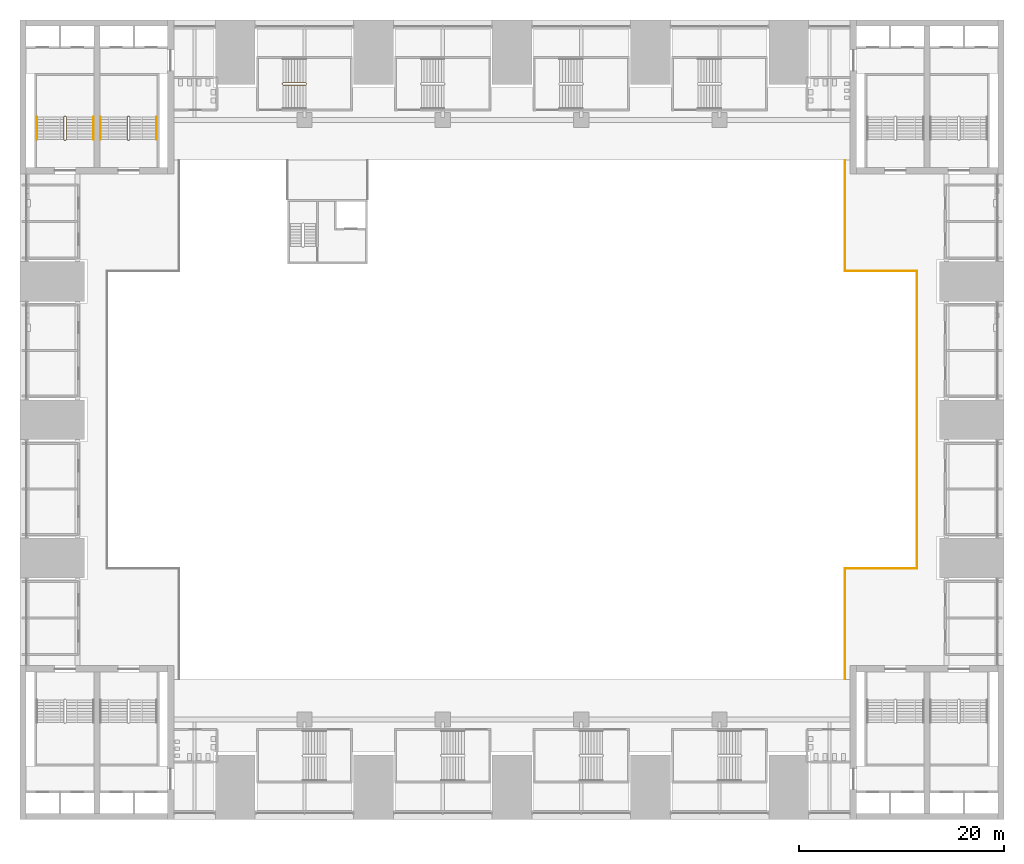
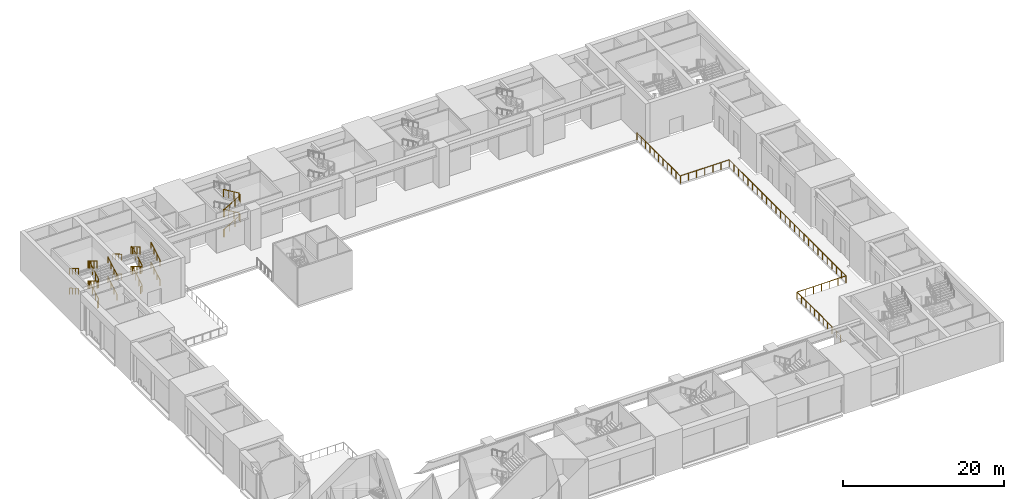
# One storey, part 38 of 41: 6 railings.
"""IFC4 building model written with IfcOpenShell, lengths in metres."""

from ifc_helpers import new_model, si_unit, direction, frame, origin, origin_2d, place, context, subcontext, project, spatial, circle, extrude, material, type_object, element, save


model = new_model("IFC4")

# Units and contexts
model_context = context("Model", 3, precision=1e-05, world=origin(), true_north=direction((0.0, 1.0)))
body_context = subcontext(model_context, "Body", "Model", "MODEL_VIEW")
ifc_project = project(units=[si_unit("LENGTHUNIT", "METRE"), si_unit("AREAUNIT", "SQUARE_METRE"), si_unit("VOLUMEUNIT", "CUBIC_METRE"), si_unit("PLANEANGLEUNIT", "RADIAN"), si_unit("MASSUNIT", "GRAM", prefix="KILO")], contexts=[model_context])

# Site, building, storey
site_placement = place(None, origin())
site = spatial("IfcSite", under=ifc_project, at=site_placement, CompositionType="ELEMENT")
building_placement = place(site_placement, origin())
building = spatial("IfcBuilding", under=site, at=building_placement, Name="Corbelhall Arena Tower", CompositionType="ELEMENT")
storey_placement = place(building_placement, frame((0.0, 0.0, 19.0)))
storey = spatial("IfcBuildingStorey", under=building, at=storey_placement, Name="L02", CompositionType="ELEMENT", Elevation=19.0)

# Railings
ifc_material_1 = material(Name="Stainless steel A4 and laminated glass", Category="steel")
railing_type_1 = type_object("IfcRailingType", Name="AR-GUARD-GLASS", PredefinedType="GUARDRAIL", material=ifc_material_1)
railing_1_placement = place(storey_placement, frame((32.5, 25.300048828125, 0.0)))
element("IfcRailing", 1, at=railing_1_placement, inside=storey, type_object=railing_type_1, Name="Bowl void guard L02 4", PredefinedType="GUARDRAIL", context=body_context, shape_type="SweptSolid", body=[
    extrude(circle(Radius=0.02392578125, at=origin_2d()), frame((0.0, 0.0, 1.076171875), z_axis=(0.0, -1.0, 0.0), x_axis=(1.0, 0.0, 0.0)), (0.0, 0.0, 1.0), 10.800048828125),
    extrude(circle(Radius=0.02392578125, at=origin_2d()), frame((0.0, -10.800048828125, 1.076171875), z_axis=(1.0, 0.0, 0.0), x_axis=(0.0, 1.0, 0.0)), (0.0, 0.0, 1.0), 7.0),
    extrude(circle(Radius=0.02392578125, at=origin_2d()), frame((7.0, -10.800048828125, 1.076171875), z_axis=(0.0, -1.0, 0.0), x_axis=(1.0, 0.0, 0.0)), (0.0, 0.0, 1.0), 29.0),
    extrude(circle(Radius=0.02392578125, at=origin_2d()), frame((7.0, -39.800048828125, 1.076171875), z_axis=(-1.0, 0.0, 0.0), x_axis=(0.0, -1.0, 0.0)), (0.0, 0.0, 1.0), 7.0),
    extrude(circle(Radius=0.02392578125, at=origin_2d()), frame((0.0, -39.800048828125, 1.076171875), z_axis=(0.0, -1.0, 0.0), x_axis=(1.0, 0.0, 0.0)), (0.0, 0.0, 1.0), 10.800048828125),
    extrude(circle(Radius=0.02099609375, at=origin_2d()), origin(), (0.0, 0.0, 1.0), 1.052001953125),
    extrude(circle(Radius=0.02099609375, at=origin_2d()), frame((0.0, -1.080078125, 0.0)), (0.0, 0.0, 1.0), 1.052001953125),
    extrude(circle(Radius=0.02099609375, at=origin_2d()), frame((0.0, -2.159912109375, 0.0)), (0.0, 0.0, 1.0), 1.052001953125),
    extrude(circle(Radius=0.02099609375, at=origin_2d()), frame((0.0, -3.239990234375, 0.0)), (0.0, 0.0, 1.0), 1.052001953125),
    extrude(circle(Radius=0.02099609375, at=origin_2d()), frame((0.0, -4.320068359375, 0.0)), (0.0, 0.0, 1.0), 1.052001953125),
    extrude(circle(Radius=0.02099609375, at=origin_2d()), frame((0.0, -5.39990234375, 0.0)), (0.0, 0.0, 1.0), 1.052001953125),
    extrude(circle(Radius=0.02099609375, at=origin_2d()), frame((0.0, -6.47998046875, 0.0)), (0.0, 0.0, 1.0), 1.052001953125),
    extrude(circle(Radius=0.02099609375, at=origin_2d()), frame((0.0, -7.56005859375, 0.0)), (0.0, 0.0, 1.0), 1.052001953125),
    extrude(circle(Radius=0.02099609375, at=origin_2d()), frame((0.0, -8.64013671875, 0.0)), (0.0, 0.0, 1.0), 1.052001953125),
    extrude(circle(Radius=0.02099609375, at=origin_2d()), frame((0.0, -9.719970703125, 0.0)), (0.0, 0.0, 1.0), 1.052001953125),
    extrude(circle(Radius=0.02099609375, at=origin_2d()), frame((0.0, -10.800048828125, 0.0)), (0.0, 0.0, 1.0), 1.052001953125),
    extrude(circle(Radius=0.02099609375, at=origin_2d()), frame((1.166748046875, -10.800048828125, 0.0)), (0.0, 0.0, 1.0), 1.052001953125),
    extrude(circle(Radius=0.02099609375, at=origin_2d()), frame((2.333251953125, -10.800048828125, 0.0)), (0.0, 0.0, 1.0), 1.052001953125),
    extrude(circle(Radius=0.02099609375, at=origin_2d()), frame((3.5, -10.800048828125, 0.0)), (0.0, 0.0, 1.0), 1.052001953125),
    extrude(circle(Radius=0.02099609375, at=origin_2d()), frame((4.666748046875, -10.800048828125, 0.0)), (0.0, 0.0, 1.0), 1.052001953125),
    extrude(circle(Radius=0.02099609375, at=origin_2d()), frame((5.833251953125, -10.800048828125, 0.0)), (0.0, 0.0, 1.0), 1.052001953125),
    extrude(circle(Radius=0.02099609375, at=origin_2d()), frame((7.0, -10.800048828125, 0.0)), (0.0, 0.0, 1.0), 1.052001953125),
    extrude(circle(Radius=0.02099609375, at=origin_2d()), frame((7.0, -11.9599609375, 0.0)), (0.0, 0.0, 1.0), 1.052001953125),
    extrude(circle(Radius=0.02099609375, at=origin_2d()), frame((7.0, -13.1201171875, 0.0)), (0.0, 0.0, 1.0), 1.052001953125),
    extrude(circle(Radius=0.02099609375, at=origin_2d()), frame((7.0, -14.280029296875, 0.0)), (0.0, 0.0, 1.0), 1.052001953125),
    extrude(circle(Radius=0.02099609375, at=origin_2d()), frame((7.0, -15.43994140625, 0.0)), (0.0, 0.0, 1.0), 1.052001953125),
    extrude(circle(Radius=0.02099609375, at=origin_2d()), frame((7.0, -16.60009765625, 0.0)), (0.0, 0.0, 1.0), 1.052001953125),
    extrude(circle(Radius=0.02099609375, at=origin_2d()), frame((7.0, -17.760009765625, 0.0)), (0.0, 0.0, 1.0), 1.052001953125),
    extrude(circle(Radius=0.02099609375, at=origin_2d()), frame((7.0, -18.920166015625, 0.0)), (0.0, 0.0, 1.0), 1.052001953125),
    extrude(circle(Radius=0.02099609375, at=origin_2d()), frame((7.0, -20.080078125, 0.0)), (0.0, 0.0, 1.0), 1.052001953125),
    extrude(circle(Radius=0.02099609375, at=origin_2d()), frame((7.0, -21.239990234375, 0.0)), (0.0, 0.0, 1.0), 1.052001953125),
    extrude(circle(Radius=0.02099609375, at=origin_2d()), frame((7.0, -22.400146484375, 0.0)), (0.0, 0.0, 1.0), 1.052001953125),
    extrude(circle(Radius=0.02099609375, at=origin_2d()), frame((7.0, -23.56005859375, 0.0)), (0.0, 0.0, 1.0), 1.052001953125),
    extrude(circle(Radius=0.02099609375, at=origin_2d()), frame((7.0, -24.719970703125, 0.0)), (0.0, 0.0, 1.0), 1.052001953125),
    extrude(circle(Radius=0.02099609375, at=origin_2d()), frame((7.0, -25.880126953125, 0.0)), (0.0, 0.0, 1.0), 1.052001953125),
    extrude(circle(Radius=0.02099609375, at=origin_2d()), frame((7.0, -27.0400390625, 0.0)), (0.0, 0.0, 1.0), 1.052001953125),
    extrude(circle(Radius=0.02099609375, at=origin_2d()), frame((7.0, -28.199951171875, 0.0)), (0.0, 0.0, 1.0), 1.052001953125),
    extrude(circle(Radius=0.02099609375, at=origin_2d()), frame((7.0, -29.360107421875, 0.0)), (0.0, 0.0, 1.0), 1.052001953125),
    extrude(circle(Radius=0.02099609375, at=origin_2d()), frame((7.0, -30.52001953125, 0.0)), (0.0, 0.0, 1.0), 1.052001953125),
    extrude(circle(Radius=0.02099609375, at=origin_2d()), frame((7.0, -31.679931640625, 0.0)), (0.0, 0.0, 1.0), 1.052001953125),
    extrude(circle(Radius=0.02099609375, at=origin_2d()), frame((7.0, -32.840087890625, 0.0)), (0.0, 0.0, 1.0), 1.052001953125),
    extrude(circle(Radius=0.02099609375, at=origin_2d()), frame((7.0, -34.0, 0.0)), (0.0, 0.0, 1.0), 1.052001953125),
    extrude(circle(Radius=0.02099609375, at=origin_2d()), frame((7.0, -35.16015625, 0.0)), (0.0, 0.0, 1.0), 1.052001953125),
    extrude(circle(Radius=0.02099609375, at=origin_2d()), frame((7.0, -36.320068359375, 0.0)), (0.0, 0.0, 1.0), 1.052001953125),
    extrude(circle(Radius=0.02099609375, at=origin_2d()), frame((7.0, -37.47998046875, 0.0)), (0.0, 0.0, 1.0), 1.052001953125),
    extrude(circle(Radius=0.02099609375, at=origin_2d()), frame((7.0, -38.64013671875, 0.0)), (0.0, 0.0, 1.0), 1.052001953125),
    extrude(circle(Radius=0.02099609375, at=origin_2d()), frame((7.0, -39.800048828125, 0.0)), (0.0, 0.0, 1.0), 1.052001953125),
    extrude(circle(Radius=0.02099609375, at=origin_2d()), frame((5.833251953125, -39.800048828125, 0.0)), (0.0, 0.0, 1.0), 1.052001953125),
    extrude(circle(Radius=0.02099609375, at=origin_2d()), frame((4.666748046875, -39.800048828125, 0.0)), (0.0, 0.0, 1.0), 1.052001953125),
    extrude(circle(Radius=0.02099609375, at=origin_2d()), frame((3.5, -39.800048828125, 0.0)), (0.0, 0.0, 1.0), 1.052001953125),
    extrude(circle(Radius=0.02099609375, at=origin_2d()), frame((2.333251953125, -39.800048828125, 0.0)), (0.0, 0.0, 1.0), 1.052001953125),
    extrude(circle(Radius=0.02099609375, at=origin_2d()), frame((1.166748046875, -39.800048828125, 0.0)), (0.0, 0.0, 1.0), 1.052001953125),
    extrude(circle(Radius=0.02099609375, at=origin_2d()), frame((0.0, -39.800048828125, 0.0)), (0.0, 0.0, 1.0), 1.052001953125),
    extrude(circle(Radius=0.02099609375, at=origin_2d()), frame((0.0, -40.880126953125, 0.0)), (0.0, 0.0, 1.0), 1.052001953125),
    extrude(circle(Radius=0.02099609375, at=origin_2d()), frame((0.0, -41.9599609375, 0.0)), (0.0, 0.0, 1.0), 1.052001953125),
    extrude(circle(Radius=0.02099609375, at=origin_2d()), frame((0.0, -43.0400390625, 0.0)), (0.0, 0.0, 1.0), 1.052001953125),
    extrude(circle(Radius=0.02099609375, at=origin_2d()), frame((0.0, -44.1201171875, 0.0)), (0.0, 0.0, 1.0), 1.052001953125),
    extrude(circle(Radius=0.02099609375, at=origin_2d()), frame((0.0, -45.2001953125, 0.0)), (0.0, 0.0, 1.0), 1.052001953125),
    extrude(circle(Radius=0.02099609375, at=origin_2d()), frame((0.0, -46.280029296875, 0.0)), (0.0, 0.0, 1.0), 1.052001953125),
    extrude(circle(Radius=0.02099609375, at=origin_2d()), frame((0.0, -47.360107421875, 0.0)), (0.0, 0.0, 1.0), 1.052001953125),
    extrude(circle(Radius=0.02099609375, at=origin_2d()), frame((0.0, -48.440185546875, 0.0)), (0.0, 0.0, 1.0), 1.052001953125),
    extrude(circle(Radius=0.02099609375, at=origin_2d()), frame((0.0, -49.52001953125, 0.0)), (0.0, 0.0, 1.0), 1.052001953125),
    extrude(circle(Radius=0.02099609375, at=origin_2d()), frame((0.0, -50.60009765625, 0.0)), (0.0, 0.0, 1.0), 1.052001953125),
])
ifc_material_2 = material(Name="Stainless steel A4", Category="steel")
railing_type_2 = type_object("IfcRailingType", Name="AR-STAIR-GUARD", PredefinedType="GUARDRAIL", material=ifc_material_2)
railing_2_placement = place(storey_placement, frame((-22.35009765625, 32.64990234375, 0.166748046875)))
element("IfcRailing", 2, at=railing_2_placement, inside=storey, type_object=railing_type_2, Name="L02 AS9 stair guards", PredefinedType="GUARDRAIL", context=body_context, shape_type="SweptSolid", body=[
    extrude(circle(Radius=0.02392578125, at=origin_2d()), frame((0.0, 0.0, 1.076171875), z_axis=(0.859305625298, 0.0, 0.511462454469), x_axis=(0.0, 1.0, 0.0)), (0.0, 0.0, 1.0), 2.606689453125),
    extrude(circle(Radius=0.02392578125, at=origin_2d()), frame((2.2900390625, 0.050048828125, 2.4091796875), z_axis=(0.0, 1.0, 0.0), x_axis=(-1.0, 0.0, 0.0)), (0.0, 0.0, 1.0), 0.150146484375),
    extrude(circle(Radius=0.02392578125, at=origin_2d()), frame((2.239990234375, 0.25, 2.576171875), z_axis=(-0.859305625298, 0.0, 0.511462454469), x_axis=(0.0, -1.0, 0.0)), (0.0, 0.0, 1.0), 2.606689453125),
    extrude(circle(Radius=0.02392578125, at=origin_2d()), frame((-0.0498046875, 0.050048828125, 3.9091796875), z_axis=(0.0, 1.0, 0.0), x_axis=(-1.0, 0.0, 0.0)), (0.0, 0.0, 1.0), 0.150146484375),
    extrude(circle(Radius=0.02392578125, at=origin_2d()), frame((0.0, 0.0, 4.076171875), z_axis=(0.859305625298, 0.0, 0.511462454469), x_axis=(0.0, 1.0, 0.0)), (0.0, 0.0, 1.0), 2.606689453125),
    extrude(circle(Radius=0.02392578125, at=origin_2d()), frame((2.2900390625, 0.050048828125, 5.4091796875), z_axis=(0.0, 1.0, 0.0), x_axis=(-1.0, 0.0, 0.0)), (0.0, 0.0, 1.0), 0.150146484375),
    extrude(circle(Radius=0.02392578125, at=origin_2d()), frame((2.239990234375, 0.25, 5.576171875), z_axis=(-0.859305625298, 0.0, 0.511462454469), x_axis=(0.0, -1.0, 0.0)), (0.0, 0.0, 1.0), 2.606689453125),
    extrude(circle(Radius=0.02392578125, at=origin_2d()), frame((-0.0498046875, 0.050048828125, 0.9091796875), z_axis=(0.0, 1.0, 0.0), x_axis=(-1.0, 0.0, 0.0)), (0.0, 0.0, 1.0), 0.150146484375),
    extrude(circle(Radius=0.02099609375, at=origin_2d()), origin(), (0.0, 0.0, 1.0), 1.052001953125),
    extrude(circle(Radius=0.02099609375, at=origin_2d()), frame((0.74658203125, 0.0, 0.4443359375)), (0.0, 0.0, 1.0), 1.052001953125),
    extrude(circle(Radius=0.02099609375, at=origin_2d()), frame((1.493408203125, 0.0, 0.888916015625)), (0.0, 0.0, 1.0), 1.052001953125),
    extrude(circle(Radius=0.02099609375, at=origin_2d()), frame((2.239990234375, 0.0, 1.333251953125)), (0.0, 0.0, 1.0), 1.052001953125),
    extrude(circle(Radius=0.02099609375, at=origin_2d()), frame((2.2900390625, 0.050048828125, 1.333251953125)), (0.0, 0.0, 1.0), 1.052001953125),
    extrude(circle(Radius=0.02099609375, at=origin_2d()), frame((2.2900390625, 0.2001953125, 1.333251953125)), (0.0, 0.0, 1.0), 1.052001953125),
    extrude(circle(Radius=0.02099609375, at=origin_2d()), frame((2.239990234375, 0.25, 1.5)), (0.0, 0.0, 1.0), 1.052001953125),
    extrude(circle(Radius=0.02099609375, at=origin_2d()), frame((1.493408203125, 0.25, 1.9443359375)), (0.0, 0.0, 1.0), 1.052001953125),
    extrude(circle(Radius=0.02099609375, at=origin_2d()), frame((0.74658203125, 0.25, 2.388916015625)), (0.0, 0.0, 1.0), 1.052001953125),
    extrude(circle(Radius=0.02099609375, at=origin_2d()), frame((0.0, 0.25, 2.833251953125)), (0.0, 0.0, 1.0), 1.052001953125),
    extrude(circle(Radius=0.02099609375, at=origin_2d()), frame((-0.0498046875, 0.050048828125, 2.833251953125)), (0.0, 0.0, 1.0), 1.052001953125),
    extrude(circle(Radius=0.02099609375, at=origin_2d()), frame((-0.0498046875, 0.2001953125, 2.833251953125)), (0.0, 0.0, 1.0), 1.052001953125),
    extrude(circle(Radius=0.02099609375, at=origin_2d()), frame((0.0, 0.0, 3.0)), (0.0, 0.0, 1.0), 1.052001953125),
    extrude(circle(Radius=0.02099609375, at=origin_2d()), frame((0.74658203125, 0.0, 3.4443359375)), (0.0, 0.0, 1.0), 1.052001953125),
    extrude(circle(Radius=0.02099609375, at=origin_2d()), frame((1.493408203125, 0.0, 3.888916015625)), (0.0, 0.0, 1.0), 1.052001953125),
    extrude(circle(Radius=0.02099609375, at=origin_2d()), frame((2.239990234375, 0.0, 4.333251953125)), (0.0, 0.0, 1.0), 1.052001953125),
    extrude(circle(Radius=0.02099609375, at=origin_2d()), frame((2.2900390625, 0.050048828125, 4.333251953125)), (0.0, 0.0, 1.0), 1.052001953125),
    extrude(circle(Radius=0.02099609375, at=origin_2d()), frame((2.2900390625, 0.2001953125, 4.333251953125)), (0.0, 0.0, 1.0), 1.052001953125),
    extrude(circle(Radius=0.02099609375, at=origin_2d()), frame((2.239990234375, 0.25, 4.5)), (0.0, 0.0, 1.0), 1.052001953125),
    extrude(circle(Radius=0.02099609375, at=origin_2d()), frame((1.493408203125, 0.25, 4.9443359375)), (0.0, 0.0, 1.0), 1.052001953125),
    extrude(circle(Radius=0.02099609375, at=origin_2d()), frame((0.74658203125, 0.25, 5.388916015625)), (0.0, 0.0, 1.0), 1.052001953125),
    extrude(circle(Radius=0.02099609375, at=origin_2d()), frame((0.0, 0.25, 5.833251953125)), (0.0, 0.0, 1.0), 1.052001953125),
    extrude(circle(Radius=0.02099609375, at=origin_2d()), frame((-0.0498046875, 0.050048828125, -0.166748046875)), (0.0, 0.0, 1.0), 1.052001953125),
    extrude(circle(Radius=0.02099609375, at=origin_2d()), frame((-0.0498046875, 0.2001953125, -0.166748046875)), (0.0, 0.0, 1.0), 1.052001953125),
])
railing_3_placement = place(storey_placement, frame((-37.280029296875, 27.320068359375, 0.166748046875)))
element("IfcRailing", 3, at=railing_3_placement, inside=storey, type_object=railing_type_2, Name="L02 AS3 stair guards", PredefinedType="GUARDRAIL", context=body_context, shape_type="SweptSolid", body=[
    extrude(circle(Radius=0.02392578125, at=origin_2d()), frame((0.0, 0.0, 1.076171875), z_axis=(0.0, 0.859305625298, 0.511462454469), x_axis=(-1.0, 0.0, 0.0)), (0.0, 0.0, 1.0), 2.606689453125),
    extrude(circle(Radius=0.02392578125, at=origin_2d()), frame((-0.050048828125, 2.2900390625, 2.4091796875), z_axis=(-1.0, 0.0, 0.0), x_axis=(0.0, -1.0, 0.0)), (0.0, 0.0, 1.0), 0.14990234375),
    extrude(circle(Radius=0.02392578125, at=origin_2d()), frame((-0.25, 2.239990234375, 2.576171875), z_axis=(0.0, -0.859305625298, 0.511462454469), x_axis=(1.0, 0.0, 0.0)), (0.0, 0.0, 1.0), 2.606689453125),
    extrude(circle(Radius=0.02392578125, at=origin_2d()), frame((-0.050048828125, -0.050048828125, 3.9091796875), z_axis=(-1.0, 0.0, 0.0), x_axis=(0.0, -1.0, 0.0)), (0.0, 0.0, 1.0), 0.14990234375),
    extrude(circle(Radius=0.02392578125, at=origin_2d()), frame((0.0, 0.0, 4.076171875), z_axis=(0.0, 0.859305625298, 0.511462454469), x_axis=(-1.0, 0.0, 0.0)), (0.0, 0.0, 1.0), 2.606689453125),
    extrude(circle(Radius=0.02392578125, at=origin_2d()), frame((-0.050048828125, 2.2900390625, 5.4091796875), z_axis=(-1.0, 0.0, 0.0), x_axis=(0.0, -1.0, 0.0)), (0.0, 0.0, 1.0), 0.14990234375),
    extrude(circle(Radius=0.02392578125, at=origin_2d()), frame((-0.25, 2.239990234375, 5.576171875), z_axis=(0.0, -0.859305625298, 0.511462454469), x_axis=(1.0, 0.0, 0.0)), (0.0, 0.0, 1.0), 2.606689453125),
    extrude(circle(Radius=0.02392578125, at=origin_2d()), frame((-0.050048828125, -0.050048828125, 0.9091796875), z_axis=(-1.0, 0.0, 0.0), x_axis=(0.0, -1.0, 0.0)), (0.0, 0.0, 1.0), 0.14990234375),
    extrude(circle(Radius=0.02099609375, at=origin_2d()), origin(), (0.0, 0.0, 1.0), 1.052001953125),
    extrude(circle(Radius=0.02099609375, at=origin_2d()), frame((0.0, 0.74658203125, 0.4443359375)), (0.0, 0.0, 1.0), 1.052001953125),
    extrude(circle(Radius=0.02099609375, at=origin_2d()), frame((0.0, 1.493408203125, 0.888916015625)), (0.0, 0.0, 1.0), 1.052001953125),
    extrude(circle(Radius=0.02099609375, at=origin_2d()), frame((0.0, 2.239990234375, 1.333251953125)), (0.0, 0.0, 1.0), 1.052001953125),
    extrude(circle(Radius=0.02099609375, at=origin_2d()), frame((-0.050048828125, 2.2900390625, 1.333251953125)), (0.0, 0.0, 1.0), 1.052001953125),
    extrude(circle(Radius=0.02099609375, at=origin_2d()), frame((-0.199951171875, 2.2900390625, 1.333251953125)), (0.0, 0.0, 1.0), 1.052001953125),
    extrude(circle(Radius=0.02099609375, at=origin_2d()), frame((-0.25, 2.239990234375, 1.5)), (0.0, 0.0, 1.0), 1.052001953125),
    extrude(circle(Radius=0.02099609375, at=origin_2d()), frame((-0.25, 1.493408203125, 1.9443359375)), (0.0, 0.0, 1.0), 1.052001953125),
    extrude(circle(Radius=0.02099609375, at=origin_2d()), frame((-0.25, 0.74658203125, 2.388916015625)), (0.0, 0.0, 1.0), 1.052001953125),
    extrude(circle(Radius=0.02099609375, at=origin_2d()), frame((-0.25, 0.0, 2.833251953125)), (0.0, 0.0, 1.0), 1.052001953125),
    extrude(circle(Radius=0.02099609375, at=origin_2d()), frame((-0.050048828125, -0.050048828125, 2.833251953125)), (0.0, 0.0, 1.0), 1.052001953125),
    extrude(circle(Radius=0.02099609375, at=origin_2d()), frame((-0.199951171875, -0.050048828125, 2.833251953125)), (0.0, 0.0, 1.0), 1.052001953125),
    extrude(circle(Radius=0.02099609375, at=origin_2d()), frame((0.0, 0.0, 3.0)), (0.0, 0.0, 1.0), 1.052001953125),
    extrude(circle(Radius=0.02099609375, at=origin_2d()), frame((0.0, 0.74658203125, 3.4443359375)), (0.0, 0.0, 1.0), 1.052001953125),
    extrude(circle(Radius=0.02099609375, at=origin_2d()), frame((0.0, 1.493408203125, 3.888916015625)), (0.0, 0.0, 1.0), 1.052001953125),
    extrude(circle(Radius=0.02099609375, at=origin_2d()), frame((0.0, 2.239990234375, 4.333251953125)), (0.0, 0.0, 1.0), 1.052001953125),
    extrude(circle(Radius=0.02099609375, at=origin_2d()), frame((-0.050048828125, 2.2900390625, 4.333251953125)), (0.0, 0.0, 1.0), 1.052001953125),
    extrude(circle(Radius=0.02099609375, at=origin_2d()), frame((-0.199951171875, 2.2900390625, 4.333251953125)), (0.0, 0.0, 1.0), 1.052001953125),
    extrude(circle(Radius=0.02099609375, at=origin_2d()), frame((-0.25, 2.239990234375, 4.5)), (0.0, 0.0, 1.0), 1.052001953125),
    extrude(circle(Radius=0.02099609375, at=origin_2d()), frame((-0.25, 1.493408203125, 4.9443359375)), (0.0, 0.0, 1.0), 1.052001953125),
    extrude(circle(Radius=0.02099609375, at=origin_2d()), frame((-0.25, 0.74658203125, 5.388916015625)), (0.0, 0.0, 1.0), 1.052001953125),
    extrude(circle(Radius=0.02099609375, at=origin_2d()), frame((-0.25, 0.0, 5.833251953125)), (0.0, 0.0, 1.0), 1.052001953125),
    extrude(circle(Radius=0.02099609375, at=origin_2d()), frame((-0.050048828125, -0.050048828125, -0.166748046875)), (0.0, 0.0, 1.0), 1.052001953125),
    extrude(circle(Radius=0.02099609375, at=origin_2d()), frame((-0.199951171875, -0.050048828125, -0.166748046875)), (0.0, 0.0, 1.0), 1.052001953125),
])
railing_4_placement = place(storey_placement, frame((-43.469970703125, 27.320068359375, 0.166748046875)))
element("IfcRailing", 4, at=railing_4_placement, inside=storey, type_object=railing_type_2, Name="L02 AS4 stair guards", PredefinedType="GUARDRAIL", context=body_context, shape_type="SweptSolid", body=[
    extrude(circle(Radius=0.02392578125, at=origin_2d()), frame((0.0, 0.0, 1.076171875), z_axis=(0.0, 0.859305625298, 0.511462454469), x_axis=(-1.0, 0.0, 0.0)), (0.0, 0.0, 1.0), 2.606689453125),
    extrude(circle(Radius=0.02392578125, at=origin_2d()), frame((-0.050048828125, 2.2900390625, 2.4091796875), z_axis=(-1.0, 0.0, 0.0), x_axis=(0.0, -1.0, 0.0)), (0.0, 0.0, 1.0), 0.14990234375),
    extrude(circle(Radius=0.02392578125, at=origin_2d()), frame((-0.25, 2.239990234375, 2.576171875), z_axis=(0.0, -0.859305625298, 0.511462454469), x_axis=(1.0, 0.0, 0.0)), (0.0, 0.0, 1.0), 2.606689453125),
    extrude(circle(Radius=0.02392578125, at=origin_2d()), frame((-0.050048828125, -0.050048828125, 3.9091796875), z_axis=(-1.0, 0.0, 0.0), x_axis=(0.0, -1.0, 0.0)), (0.0, 0.0, 1.0), 0.14990234375),
    extrude(circle(Radius=0.02392578125, at=origin_2d()), frame((0.0, 0.0, 4.076171875), z_axis=(0.0, 0.859305625298, 0.511462454469), x_axis=(-1.0, 0.0, 0.0)), (0.0, 0.0, 1.0), 2.606689453125),
    extrude(circle(Radius=0.02392578125, at=origin_2d()), frame((-0.050048828125, 2.2900390625, 5.4091796875), z_axis=(-1.0, 0.0, 0.0), x_axis=(0.0, -1.0, 0.0)), (0.0, 0.0, 1.0), 0.14990234375),
    extrude(circle(Radius=0.02392578125, at=origin_2d()), frame((-0.25, 2.239990234375, 5.576171875), z_axis=(0.0, -0.859305625298, 0.511462454469), x_axis=(1.0, 0.0, 0.0)), (0.0, 0.0, 1.0), 2.606689453125),
    extrude(circle(Radius=0.02392578125, at=origin_2d()), frame((-0.050048828125, -0.050048828125, 0.9091796875), z_axis=(-1.0, 0.0, 0.0), x_axis=(0.0, -1.0, 0.0)), (0.0, 0.0, 1.0), 0.14990234375),
    extrude(circle(Radius=0.02099609375, at=origin_2d()), origin(), (0.0, 0.0, 1.0), 1.052001953125),
    extrude(circle(Radius=0.02099609375, at=origin_2d()), frame((0.0, 0.74658203125, 0.4443359375)), (0.0, 0.0, 1.0), 1.052001953125),
    extrude(circle(Radius=0.02099609375, at=origin_2d()), frame((0.0, 1.493408203125, 0.888916015625)), (0.0, 0.0, 1.0), 1.052001953125),
    extrude(circle(Radius=0.02099609375, at=origin_2d()), frame((0.0, 2.239990234375, 1.333251953125)), (0.0, 0.0, 1.0), 1.052001953125),
    extrude(circle(Radius=0.02099609375, at=origin_2d()), frame((-0.050048828125, 2.2900390625, 1.333251953125)), (0.0, 0.0, 1.0), 1.052001953125),
    extrude(circle(Radius=0.02099609375, at=origin_2d()), frame((-0.199951171875, 2.2900390625, 1.333251953125)), (0.0, 0.0, 1.0), 1.052001953125),
    extrude(circle(Radius=0.02099609375, at=origin_2d()), frame((-0.25, 2.239990234375, 1.5)), (0.0, 0.0, 1.0), 1.052001953125),
    extrude(circle(Radius=0.02099609375, at=origin_2d()), frame((-0.25, 1.493408203125, 1.9443359375)), (0.0, 0.0, 1.0), 1.052001953125),
    extrude(circle(Radius=0.02099609375, at=origin_2d()), frame((-0.25, 0.74658203125, 2.388916015625)), (0.0, 0.0, 1.0), 1.052001953125),
    extrude(circle(Radius=0.02099609375, at=origin_2d()), frame((-0.25, 0.0, 2.833251953125)), (0.0, 0.0, 1.0), 1.052001953125),
    extrude(circle(Radius=0.02099609375, at=origin_2d()), frame((-0.050048828125, -0.050048828125, 2.833251953125)), (0.0, 0.0, 1.0), 1.052001953125),
    extrude(circle(Radius=0.02099609375, at=origin_2d()), frame((-0.199951171875, -0.050048828125, 2.833251953125)), (0.0, 0.0, 1.0), 1.052001953125),
    extrude(circle(Radius=0.02099609375, at=origin_2d()), frame((0.0, 0.0, 3.0)), (0.0, 0.0, 1.0), 1.052001953125),
    extrude(circle(Radius=0.02099609375, at=origin_2d()), frame((0.0, 0.74658203125, 3.4443359375)), (0.0, 0.0, 1.0), 1.052001953125),
    extrude(circle(Radius=0.02099609375, at=origin_2d()), frame((0.0, 1.493408203125, 3.888916015625)), (0.0, 0.0, 1.0), 1.052001953125),
    extrude(circle(Radius=0.02099609375, at=origin_2d()), frame((0.0, 2.239990234375, 4.333251953125)), (0.0, 0.0, 1.0), 1.052001953125),
    extrude(circle(Radius=0.02099609375, at=origin_2d()), frame((-0.050048828125, 2.2900390625, 4.333251953125)), (0.0, 0.0, 1.0), 1.052001953125),
    extrude(circle(Radius=0.02099609375, at=origin_2d()), frame((-0.199951171875, 2.2900390625, 4.333251953125)), (0.0, 0.0, 1.0), 1.052001953125),
    extrude(circle(Radius=0.02099609375, at=origin_2d()), frame((-0.25, 2.239990234375, 4.5)), (0.0, 0.0, 1.0), 1.052001953125),
    extrude(circle(Radius=0.02099609375, at=origin_2d()), frame((-0.25, 1.493408203125, 4.9443359375)), (0.0, 0.0, 1.0), 1.052001953125),
    extrude(circle(Radius=0.02099609375, at=origin_2d()), frame((-0.25, 0.74658203125, 5.388916015625)), (0.0, 0.0, 1.0), 1.052001953125),
    extrude(circle(Radius=0.02099609375, at=origin_2d()), frame((-0.25, 0.0, 5.833251953125)), (0.0, 0.0, 1.0), 1.052001953125),
    extrude(circle(Radius=0.02099609375, at=origin_2d()), frame((-0.050048828125, -0.050048828125, -0.166748046875)), (0.0, 0.0, 1.0), 1.052001953125),
    extrude(circle(Radius=0.02099609375, at=origin_2d()), frame((-0.199951171875, -0.050048828125, -0.166748046875)), (0.0, 0.0, 1.0), 1.052001953125),
])
railing_type_3 = type_object("IfcRailingType", Name="AR-STAIR-HANDRAIL", PredefinedType="HANDRAIL", material=ifc_material_2)
railing_5_placement = place(storey_placement, frame((-34.659912109375, 27.320068359375, 0.166748046875)))
element("IfcRailing", 5, at=railing_5_placement, inside=storey, type_object=railing_type_3, Name="L02 AS3 stair handrails", PredefinedType="HANDRAIL", context=body_context, shape_type="SweptSolid", body=[
    extrude(circle(Radius=0.02392578125, at=origin_2d()), frame((0.0, 0.0, 0.8759765625), z_axis=(0.0, 0.859305625298, 0.511462454469), x_axis=(-1.0, 0.0, 0.0)), (0.0, 0.0, 1.0), 2.606689453125),
    extrude(circle(Radius=0.02392578125, at=origin_2d()), frame((-5.489990234375, 2.239990234375, 2.3759765625), z_axis=(0.0, -0.859305625298, 0.511462454469), x_axis=(1.0, 0.0, 0.0)), (0.0, 0.0, 1.0), 2.606689453125),
    extrude(circle(Radius=0.02392578125, at=origin_2d()), frame((0.0, 0.0, 3.8759765625), z_axis=(0.0, 0.859305625298, 0.511462454469), x_axis=(-1.0, 0.0, 0.0)), (0.0, 0.0, 1.0), 2.606689453125),
    extrude(circle(Radius=0.02392578125, at=origin_2d()), frame((-5.489990234375, 2.239990234375, 5.3759765625), z_axis=(0.0, -0.859305625298, 0.511462454469), x_axis=(1.0, 0.0, 0.0)), (0.0, 0.0, 1.0), 2.606689453125),
    extrude(circle(Radius=0.02099609375, at=origin_2d()), origin(), (0.0, 0.0, 1.0), 0.851806640625),
    extrude(circle(Radius=0.02099609375, at=origin_2d()), frame((0.0, 0.74658203125, 0.4443359375)), (0.0, 0.0, 1.0), 0.851806640625),
    extrude(circle(Radius=0.02099609375, at=origin_2d()), frame((0.0, 1.493408203125, 0.888916015625)), (0.0, 0.0, 1.0), 0.851806640625),
    extrude(circle(Radius=0.02099609375, at=origin_2d()), frame((0.0, 2.239990234375, 1.333251953125)), (0.0, 0.0, 1.0), 0.851806640625),
    extrude(circle(Radius=0.02099609375, at=origin_2d()), frame((-5.489990234375, 2.239990234375, 1.5)), (0.0, 0.0, 1.0), 0.851806640625),
    extrude(circle(Radius=0.02099609375, at=origin_2d()), frame((-5.489990234375, 1.493408203125, 1.9443359375)), (0.0, 0.0, 1.0), 0.851806640625),
    extrude(circle(Radius=0.02099609375, at=origin_2d()), frame((-5.489990234375, 0.74658203125, 2.388916015625)), (0.0, 0.0, 1.0), 0.851806640625),
    extrude(circle(Radius=0.02099609375, at=origin_2d()), frame((-5.489990234375, 0.0, 2.833251953125)), (0.0, 0.0, 1.0), 0.851806640625),
    extrude(circle(Radius=0.02099609375, at=origin_2d()), frame((0.0, 0.0, 3.0)), (0.0, 0.0, 1.0), 0.851806640625),
    extrude(circle(Radius=0.02099609375, at=origin_2d()), frame((0.0, 0.74658203125, 3.4443359375)), (0.0, 0.0, 1.0), 0.851806640625),
    extrude(circle(Radius=0.02099609375, at=origin_2d()), frame((0.0, 1.493408203125, 3.888916015625)), (0.0, 0.0, 1.0), 0.851806640625),
    extrude(circle(Radius=0.02099609375, at=origin_2d()), frame((0.0, 2.239990234375, 4.333251953125)), (0.0, 0.0, 1.0), 0.851806640625),
    extrude(circle(Radius=0.02099609375, at=origin_2d()), frame((-5.489990234375, 2.239990234375, 4.5)), (0.0, 0.0, 1.0), 0.851806640625),
    extrude(circle(Radius=0.02099609375, at=origin_2d()), frame((-5.489990234375, 1.493408203125, 4.9443359375)), (0.0, 0.0, 1.0), 0.851806640625),
    extrude(circle(Radius=0.02099609375, at=origin_2d()), frame((-5.489990234375, 0.74658203125, 5.388916015625)), (0.0, 0.0, 1.0), 0.851806640625),
    extrude(circle(Radius=0.02099609375, at=origin_2d()), frame((-5.489990234375, 0.0, 5.833251953125)), (0.0, 0.0, 1.0), 0.851806640625),
])
railing_6_placement = place(storey_placement, frame((-40.85009765625, 27.320068359375, 0.166748046875)))
element("IfcRailing", 6, at=railing_6_placement, inside=storey, type_object=railing_type_3, Name="L02 AS4 stair handrails", PredefinedType="HANDRAIL", context=body_context, shape_type="SweptSolid", body=[
    extrude(circle(Radius=0.02392578125, at=origin_2d()), frame((0.0, 0.0, 0.8759765625), z_axis=(0.0, 0.859305625298, 0.511462454469), x_axis=(-1.0, 0.0, 0.0)), (0.0, 0.0, 1.0), 2.606689453125),
    extrude(circle(Radius=0.02392578125, at=origin_2d()), frame((-5.489990234375, 2.239990234375, 2.3759765625), z_axis=(0.0, -0.859305625298, 0.511462454469), x_axis=(1.0, 0.0, 0.0)), (0.0, 0.0, 1.0), 2.606689453125),
    extrude(circle(Radius=0.02392578125, at=origin_2d()), frame((0.0, 0.0, 3.8759765625), z_axis=(0.0, 0.859305625298, 0.511462454469), x_axis=(-1.0, 0.0, 0.0)), (0.0, 0.0, 1.0), 2.606689453125),
    extrude(circle(Radius=0.02392578125, at=origin_2d()), frame((-5.489990234375, 2.239990234375, 5.3759765625), z_axis=(0.0, -0.859305625298, 0.511462454469), x_axis=(1.0, 0.0, 0.0)), (0.0, 0.0, 1.0), 2.606689453125),
    extrude(circle(Radius=0.02099609375, at=origin_2d()), origin(), (0.0, 0.0, 1.0), 0.851806640625),
    extrude(circle(Radius=0.02099609375, at=origin_2d()), frame((0.0, 0.74658203125, 0.4443359375)), (0.0, 0.0, 1.0), 0.851806640625),
    extrude(circle(Radius=0.02099609375, at=origin_2d()), frame((0.0, 1.493408203125, 0.888916015625)), (0.0, 0.0, 1.0), 0.851806640625),
    extrude(circle(Radius=0.02099609375, at=origin_2d()), frame((0.0, 2.239990234375, 1.333251953125)), (0.0, 0.0, 1.0), 0.851806640625),
    extrude(circle(Radius=0.02099609375, at=origin_2d()), frame((-5.489990234375, 2.239990234375, 1.5)), (0.0, 0.0, 1.0), 0.851806640625),
    extrude(circle(Radius=0.02099609375, at=origin_2d()), frame((-5.489990234375, 1.493408203125, 1.9443359375)), (0.0, 0.0, 1.0), 0.851806640625),
    extrude(circle(Radius=0.02099609375, at=origin_2d()), frame((-5.489990234375, 0.74658203125, 2.388916015625)), (0.0, 0.0, 1.0), 0.851806640625),
    extrude(circle(Radius=0.02099609375, at=origin_2d()), frame((-5.489990234375, 0.0, 2.833251953125)), (0.0, 0.0, 1.0), 0.851806640625),
    extrude(circle(Radius=0.02099609375, at=origin_2d()), frame((0.0, 0.0, 3.0)), (0.0, 0.0, 1.0), 0.851806640625),
    extrude(circle(Radius=0.02099609375, at=origin_2d()), frame((0.0, 0.74658203125, 3.4443359375)), (0.0, 0.0, 1.0), 0.851806640625),
    extrude(circle(Radius=0.02099609375, at=origin_2d()), frame((0.0, 1.493408203125, 3.888916015625)), (0.0, 0.0, 1.0), 0.851806640625),
    extrude(circle(Radius=0.02099609375, at=origin_2d()), frame((0.0, 2.239990234375, 4.333251953125)), (0.0, 0.0, 1.0), 0.851806640625),
    extrude(circle(Radius=0.02099609375, at=origin_2d()), frame((-5.489990234375, 2.239990234375, 4.5)), (0.0, 0.0, 1.0), 0.851806640625),
    extrude(circle(Radius=0.02099609375, at=origin_2d()), frame((-5.489990234375, 1.493408203125, 4.9443359375)), (0.0, 0.0, 1.0), 0.851806640625),
    extrude(circle(Radius=0.02099609375, at=origin_2d()), frame((-5.489990234375, 0.74658203125, 5.388916015625)), (0.0, 0.0, 1.0), 0.851806640625),
    extrude(circle(Radius=0.02099609375, at=origin_2d()), frame((-5.489990234375, 0.0, 5.833251953125)), (0.0, 0.0, 1.0), 0.851806640625),
])

save(model, "model.ifc")
